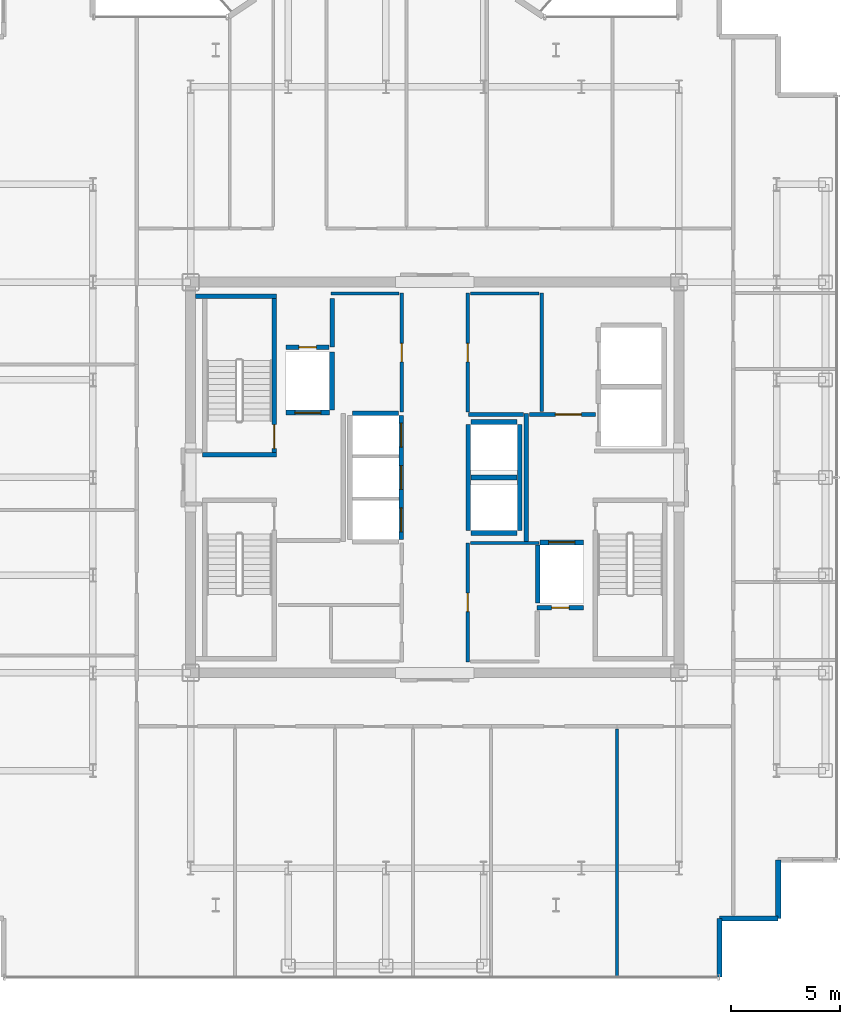
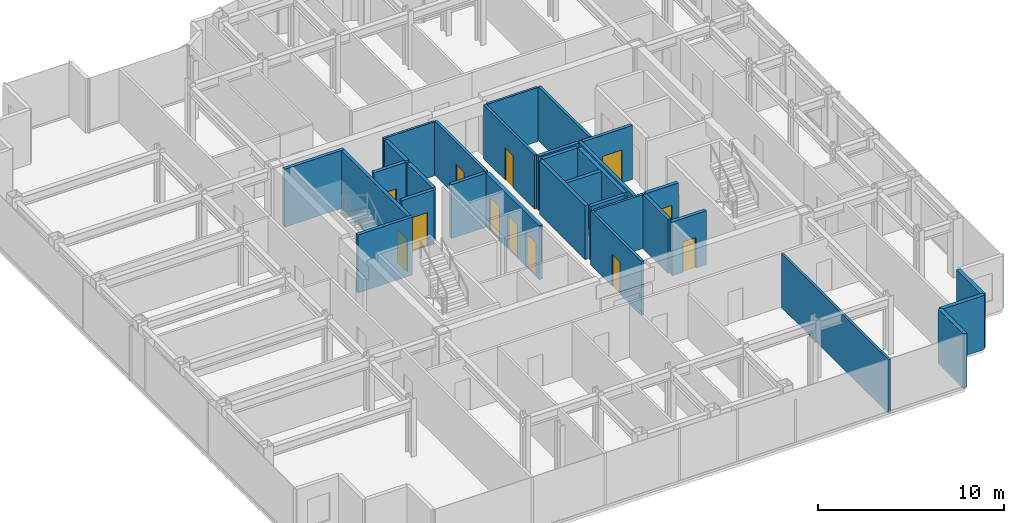
# One storey, part 14 of 18: 31 walls, 12 doors, 12 openings.
"""IFC4 building model written with IfcOpenShell, lengths in metres."""

from ifc_helpers import new_model, si_unit, direction, frame, frame_2d, origin, place, context, subcontext, project, spatial, rectangle, extrude, source, transform, mapped, material, layer, layer_set, type_object, element, fill, save


model = new_model("IFC4")

# Units and contexts
model_context = context("Model", 3, precision=1e-05, world=origin(), true_north=direction((0.0, 1.0)))
body_context = subcontext(model_context, "Body", "Model", "MODEL_VIEW")
ifc_project = project(units=[si_unit("LENGTHUNIT", "METRE"), si_unit("AREAUNIT", "SQUARE_METRE"), si_unit("VOLUMEUNIT", "CUBIC_METRE"), si_unit("PLANEANGLEUNIT", "RADIAN"), si_unit("MASSUNIT", "GRAM", prefix="KILO")], contexts=[model_context])

# Site, building, storey
site_placement = place(None, origin())
site = spatial("IfcSite", under=ifc_project, at=site_placement, CompositionType="ELEMENT")
building_placement = place(site_placement, origin())
building = spatial("IfcBuilding", under=site, at=building_placement, Name="Nefas-Gora Pilgrimage Tower", CompositionType="ELEMENT")
storey_placement = place(building_placement, frame((0.0, 0.0, 272.199951171875)))
storey = spatial("IfcBuildingStorey", under=building, at=storey_placement, Name="L68", CompositionType="ELEMENT", Elevation=272.199951171875)

# Walls
ifc_material_1 = material(Name="Precast concrete C45/55", Category="concrete")
ifc_layer_1 = layer(ifc_material_1, 0.239990234375)
ifc_layer_set_1 = layer_set([ifc_layer_1], Name="Precast concrete C45/55")
wall_type_1 = type_object("IfcWallType", Name="EW-SERR-240", PredefinedType="SHEAR", material=ifc_layer_set_1)
shared_shape_1 = source(origin(), body_context, "Body", "SweptSolid", [
    extrude(rectangle(XDim=2.699951171875, YDim=0.239990234375, at=frame_2d((1.35009765625, 0.0))), origin(), (0.0, 0.0, 1.0), 3.550048828125),
])
for number, where, z_axis, x_axis, name in (
    (1, (13.1201171875, -23.02001953125, 0.0), (0.0, 0.0, 1.0), (0.0, 1.0, 0.0), "L68 Serrated Corner Shear Pier Wall 25"),
    (2, (13.1201171875, -20.320068359375, 0.0), (0.0, 0.0, 1.0), (1.0, 0.0, 0.0), "L68 Serrated Corner Shear Pier Wall 26"),
    (3, (15.820068359375, -20.320068359375, 0.0), (0.0, 0.0, 1.0), (0.0, 1.0, 0.0), "L68 Serrated Corner Shear Pier Wall 27"),
):
    element("IfcWall", number, at=place(storey_placement, frame(where, z_axis=z_axis, x_axis=x_axis)), inside=storey, type_object=wall_type_1, Name=name, PredefinedType="SHEAR", context=body_context, shape_type="MappedRepresentation", body=[
        mapped(shared_shape_1, transform((0.0, 0.0, 0.0), x_axis=(1.0, 0.0, 0.0), y_axis=(0.0, 1.0, 0.0), z_axis=(0.0, 0.0, 1.0), scale=1.0)),
    ])
ifc_material_2 = material(Name="Concrete C45/55", Category="concrete")
ifc_layer_2 = layer(ifc_material_2, 0.199951171875)
ifc_layer_set_2 = layer_set([ifc_layer_2], Name="Concrete C45/55")
wall_type_2 = type_object("IfcWallType", Name="IW-STAIR-200", PredefinedType="SOLIDWALL", material=ifc_layer_set_2)
shared_shape_2 = source(origin(), body_context, "Body", "SweptSolid", [
    extrude(rectangle(XDim=3.39990234375, YDim=0.199951171875, at=frame_2d((1.699951171875, 0.0))), origin(), (0.0, 0.0, 1.0), 3.800048828125),
])
wall_1_placement = place(storey_placement, frame((-7.300048828125, 1.050048828125, 0.0), z_axis=(0.0, 0.0, 1.0), x_axis=(-1.0, 0.0, 0.0)))
element("IfcWall", 4, at=wall_1_placement, inside=storey, type_object=wall_type_2, Name="L68 Stairwell Shear Wall ST-01-near", PredefinedType="SOLIDWALL", context=body_context, shape_type="MappedRepresentation", body=[
    mapped(shared_shape_2, transform((0.0, 0.0, 0.0), x_axis=(1.0, 0.0, 0.0), y_axis=(0.0, 1.0, 0.0), z_axis=(0.0, 0.0, 1.0), scale=1.0)),
])

# Wall, opening, door
shared_shape_3 = source(origin(), body_context, "Body", "SweptSolid", [
    extrude(rectangle(XDim=7.10009765625, YDim=0.199951171875, at=frame_2d((3.550048828125, 0.0))), origin(), (0.0, 0.0, 1.0), 3.800048828125),
])
wall_2_placement = place(storey_placement, frame((-7.39990234375, 1.14990234375, 0.0), z_axis=(0.0, 0.0, 1.0), x_axis=(0.0, 1.0, 0.0)))
wall_2 = element("IfcWall", 5, at=wall_2_placement, inside=storey, type_object=wall_type_2, Name="L68 Stairwell Shear Wall ST-01-left", PredefinedType="SOLIDWALL", context=body_context, shape_type="MappedRepresentation", body=[
    mapped(shared_shape_3, transform((0.0, 0.0, 0.0), x_axis=(1.0, 0.0, 0.0), y_axis=(0.0, 1.0, 0.0), z_axis=(0.0, 0.0, 1.0), scale=1.0)),
])
opening_1_placement = place(wall_2_placement, frame((0.179931640625, 0.0, 0.0)))
opening_1 = element("IfcOpeningElement", 6, at=opening_1_placement, cuts=wall_2, Name="Opening ID-ST1", PredefinedType="OPENING", context=body_context, shape_type="SweptSolid", body=[
    extrude(rectangle(XDim=1.10009765625, YDim=2.14990234375, at=frame_2d((0.550048828125, 1.074951171875))), frame((0.0, 0.10986328125, 0.0), z_axis=(0.0, -1.0, 0.0), x_axis=(1.0, 0.0, 0.0)), (0.0, 0.0, 1.0), 0.219970703125),
])
ifc_material_3 = material(Name="Painted galvanised steel fire stair door", Category="steel")
door_type_1 = type_object("IfcDoorType", Name="DR-INT-STAIR-1100", OperationType="NOTDEFINED", PredefinedType="DOOR", material=ifc_material_3)
shared_shape_4 = source(origin(), body_context, "Body", "SweptSolid", [
    extrude(rectangle(XDim=1.10009765625, YDim=2.14990234375, at=frame_2d((0.550048828125, 1.074951171875))), frame((0.0, 0.02490234375, 0.0), z_axis=(0.0, -1.0, 0.0), x_axis=(1.0, 0.0, 0.0)), (0.0, 0.0, 1.0), 0.050048828125),
])
door_1_placement = place(opening_1_placement, origin())
door_1 = element("IfcDoor", 7, at=door_1_placement, inside=storey, type_object=door_type_1, Name="L68 Protected Exit Stair Door ST-01", OperationType="SINGLE_SWING_RIGHT", OverallHeight=2.14990234375, OverallWidth=1.10009765625, PredefinedType="DOOR", context=body_context, shape_type="MappedRepresentation", body=[
    mapped(shared_shape_4, transform((0.0, 0.0, 0.0), x_axis=(1.0, 0.0, 0.0), y_axis=(0.0, 1.0, 0.0), z_axis=(0.0, 0.0, 1.0), scale=1.0)),
])
fill(opening_1, door_1)

# Wall
shared_shape_5 = source(origin(), body_context, "Body", "SweptSolid", [
    extrude(rectangle(XDim=3.72998046875, YDim=0.199951171875, at=frame_2d((1.864990234375, 0.0))), origin(), (0.0, 0.0, 1.0), 3.800048828125),
])
wall_3_placement = place(storey_placement, frame((-7.300048828125, 8.35009765625, 0.0), z_axis=(0.0, 0.0, 1.0), x_axis=(-1.0, 0.0, 0.0)))
element("IfcWall", 8, at=wall_3_placement, inside=storey, type_object=wall_type_2, Name="L68 Stairwell Shear Wall ST-01-far", PredefinedType="SOLIDWALL", context=body_context, shape_type="MappedRepresentation", body=[
    mapped(shared_shape_5, transform((0.0, 0.0, 0.0), x_axis=(1.0, 0.0, 0.0), y_axis=(0.0, 1.0, 0.0), z_axis=(0.0, 0.0, 1.0), scale=1.0)),
])

# Wall, opening, door
ifc_material_4 = material(Name="Concrete C40/50", Category="concrete")
ifc_layer_3 = layer(ifc_material_4, 0.219970703125)
ifc_layer_set_3 = layer_set([ifc_layer_3], Name="Concrete C40/50")
wall_type_3 = type_object("IfcWallType", Name="IW-SHAFT-220", PredefinedType="SOLIDWALL", material=ifc_layer_set_3)
shared_shape_6 = source(origin(), body_context, "Body", "SweptSolid", [
    extrude(rectangle(XDim=2.0, YDim=0.219970703125, at=frame_2d((1.0, 0.0))), origin(), (0.0, 0.0, 1.0), 3.53515625),
])
wall_4_placement = place(storey_placement, frame((-6.85009765625, 2.989990234375, 0.0), z_axis=(0.0, 0.0, 1.0), x_axis=(1.0, 0.0, 0.0)))
wall_4 = element("IfcWall", 9, at=wall_4_placement, inside=storey, type_object=wall_type_3, Name="L68 Hoistway Wall FFL-01-S", PredefinedType="SOLIDWALL", context=body_context, shape_type="MappedRepresentation", body=[
    mapped(shared_shape_6, transform((0.0, 0.0, 0.0), x_axis=(1.0, 0.0, 0.0), y_axis=(0.0, 1.0, 0.0), z_axis=(0.0, 0.0, 1.0), scale=1.0)),
])
opening_2_placement = place(wall_4_placement, frame((0.39990234375, 0.0, 0.0)))
opening_2 = element("IfcOpeningElement", 10, at=opening_2_placement, cuts=wall_4, Name="Opening LD-FF", PredefinedType="OPENING", context=body_context, shape_type="SweptSolid", body=[
    extrude(rectangle(XDim=1.199951171875, YDim=2.199951171875, at=frame_2d((0.60009765625, 1.10009765625))), frame((0.0, 0.119873046875, 0.0), z_axis=(0.0, -1.0, 0.0), x_axis=(1.0, 0.0, 0.0)), (0.0, 0.0, 1.0), 0.239990234375),
])
ifc_material_5 = material(Name="Fire-service sliding lift landing door")
door_type_2 = type_object("IfcDoorType", Name="DR-LIFT-FSAE-1200", OperationType="SLIDING_TO_LEFT", PredefinedType="DOOR", material=ifc_material_5)
shared_shape_7 = source(origin(), body_context, "Body", "SweptSolid", [
    extrude(rectangle(XDim=1.199951171875, YDim=2.199951171875, at=frame_2d((0.60009765625, 1.10009765625))), frame((0.0, 0.02490234375, 0.0), z_axis=(0.0, -1.0, 0.0), x_axis=(1.0, 0.0, 0.0)), (0.0, 0.0, 1.0), 0.050048828125),
])
door_2_placement = place(opening_2_placement, origin())
door_2 = element("IfcDoor", 11, at=door_2_placement, inside=storey, type_object=door_type_2, Name="L68 Sliding Lift Landing Door FFL-01", OperationType="SLIDING_TO_LEFT", OverallHeight=2.199951171875, OverallWidth=1.199951171875, PredefinedType="DOOR", context=body_context, shape_type="MappedRepresentation", body=[
    mapped(shared_shape_7, transform((0.0, 0.0, 0.0), x_axis=(1.0, 0.0, 0.0), y_axis=(0.0, 1.0, 0.0), z_axis=(0.0, 0.0, 1.0), scale=1.0)),
])
fill(opening_2, door_2)

wall_5_placement = place(storey_placement, frame((6.85009765625, -2.989990234375, 0.0), z_axis=(0.0, 0.0, 1.0), x_axis=(-1.0, 0.0, 0.0)))
wall_5 = element("IfcWall", 12, at=wall_5_placement, inside=storey, type_object=wall_type_3, Name="L68 Hoistway Wall FFL-02-N", PredefinedType="SOLIDWALL", context=body_context, shape_type="MappedRepresentation", body=[
    mapped(shared_shape_6, transform((0.0, 0.0, 0.0), x_axis=(1.0, 0.0, 0.0), y_axis=(0.0, 1.0, 0.0), z_axis=(0.0, 0.0, 1.0), scale=1.0)),
])
opening_3_placement = place(wall_5_placement, frame((0.39990234375, 0.0, 0.0)))
opening_3 = element("IfcOpeningElement", 13, at=opening_3_placement, cuts=wall_5, Name="Opening LD-FF", PredefinedType="OPENING", context=body_context, shape_type="SweptSolid", body=[
    extrude(rectangle(XDim=1.199951171875, YDim=2.199951171875, at=frame_2d((0.60009765625, 1.10009765625))), frame((0.0, 0.119873046875, 0.0), z_axis=(0.0, -1.0, 0.0), x_axis=(1.0, 0.0, 0.0)), (0.0, 0.0, 1.0), 0.239990234375),
])
door_3_placement = place(opening_3_placement, origin())
door_3 = element("IfcDoor", 14, at=door_3_placement, inside=storey, type_object=door_type_2, Name="L68 Sliding Lift Landing Door FFL-02", OperationType="SLIDING_TO_LEFT", OverallHeight=2.199951171875, OverallWidth=1.199951171875, PredefinedType="DOOR", context=body_context, shape_type="MappedRepresentation", body=[
    mapped(shared_shape_7, transform((0.0, 0.0, 0.0), x_axis=(1.0, 0.0, 0.0), y_axis=(0.0, 1.0, 0.0), z_axis=(0.0, 0.0, 1.0), scale=1.0)),
])
fill(opening_3, door_3)

# Walls
shared_shape_8 = source(origin(), body_context, "Body", "SweptSolid", [
    extrude(rectangle(XDim=2.679931640625, YDim=0.219970703125, at=frame_2d((1.33984375, 0.0))), origin(), (0.0, 0.0, 1.0), 3.53515625),
])
for number, where, z_axis, x_axis, name in (
    (15, (-4.739990234375, 3.110107421875, 0.0), (0.0, 0.0, 1.0), (0.0, 1.0, 0.0), "L68 Hoistway Wall FFL-01-E"),
    (16, (4.739990234375, -3.110107421875, 0.0), (0.0, 0.0, 1.0), (0.0, -1.0, 0.0), "L68 Hoistway Wall FFL-02-W"),
):
    element("IfcWall", number, at=place(storey_placement, frame(where, z_axis=z_axis, x_axis=x_axis)), inside=storey, type_object=wall_type_3, Name=name, PredefinedType="SOLIDWALL", context=body_context, shape_type="MappedRepresentation", body=[
        mapped(shared_shape_8, transform((0.0, 0.0, 0.0), x_axis=(1.0, 0.0, 0.0), y_axis=(0.0, 1.0, 0.0), z_axis=(0.0, 0.0, 1.0), scale=1.0)),
    ])

# Wall, openings, doors
shared_shape_9 = source(origin(), body_context, "Body", "SweptSolid", [
    extrude(rectangle(XDim=5.7001953125, YDim=0.219970703125, at=frame_2d((2.85009765625, 0.0))), origin(), (0.0, 0.0, 1.0), 3.53515625),
])
wall_6_placement = place(storey_placement, frame((-1.5400390625, -2.85009765625, 0.0), z_axis=(0.0, 0.0, 1.0), x_axis=(0.0, 1.0, 0.0)))
wall_6 = element("IfcWall", 17, at=wall_6_placement, inside=storey, type_object=wall_type_3, Name="L68 Hoistway Wall PL3-01-03-E", PredefinedType="SOLIDWALL", context=body_context, shape_type="MappedRepresentation", body=[
    mapped(shared_shape_9, transform((0.0, 0.0, 0.0), x_axis=(1.0, 0.0, 0.0), y_axis=(0.0, 1.0, 0.0), z_axis=(0.0, 0.0, 1.0), scale=1.0)),
])
opening_4_placement = place(wall_6_placement, frame((0.35009765625, 0.0, 0.0)))
opening_4 = element("IfcOpeningElement", 18, at=opening_4_placement, cuts=wall_6, Name="Opening LD-01", PredefinedType="OPENING", context=body_context, shape_type="SweptSolid", body=[
    extrude(rectangle(XDim=1.10009765625, YDim=2.199951171875, at=frame_2d((0.550048828125, 1.10009765625))), frame((0.0, 0.119873046875, 0.0), z_axis=(0.0, -1.0, 0.0), x_axis=(1.0, 0.0, 0.0)), (0.0, 0.0, 1.0), 0.239990234375),
])
opening_5_placement = place(wall_6_placement, frame((2.300048828125, 0.0, 0.0)))
opening_5 = element("IfcOpeningElement", 19, at=opening_5_placement, cuts=wall_6, Name="Opening LD-01", PredefinedType="OPENING", context=body_context, shape_type="SweptSolid", body=[
    extrude(rectangle(XDim=1.10009765625, YDim=2.199951171875, at=frame_2d((0.550048828125, 1.10009765625))), frame((0.0, 0.119873046875, 0.0), z_axis=(0.0, -1.0, 0.0), x_axis=(1.0, 0.0, 0.0)), (0.0, 0.0, 1.0), 0.239990234375),
])
opening_6_placement = place(wall_6_placement, frame((4.25, 0.0, 0.0)))
opening_6 = element("IfcOpeningElement", 20, at=opening_6_placement, cuts=wall_6, Name="Opening LD-01", PredefinedType="OPENING", context=body_context, shape_type="SweptSolid", body=[
    extrude(rectangle(XDim=1.10009765625, YDim=2.199951171875, at=frame_2d((0.550048828125, 1.10009765625))), frame((0.0, 0.119873046875, 0.0), z_axis=(0.0, -1.0, 0.0), x_axis=(1.0, 0.0, 0.0)), (0.0, 0.0, 1.0), 0.239990234375),
])
ifc_material_6 = material(Name="Brushed stainless sliding lift landing door")
door_type_3 = type_object("IfcDoorType", Name="DR-LIFT-PASS-1100", OperationType="DOUBLE_DOOR_SLIDING", PredefinedType="DOOR", material=ifc_material_6)
shared_shape_10 = source(origin(), body_context, "Body", "SweptSolid", [
    extrude(rectangle(XDim=1.10009765625, YDim=2.199951171875, at=frame_2d((0.550048828125, 1.10009765625))), frame((0.0, 0.02490234375, 0.0), z_axis=(0.0, -1.0, 0.0), x_axis=(1.0, 0.0, 0.0)), (0.0, 0.0, 1.0), 0.050048828125),
])
door_4_placement = place(opening_4_placement, origin())
door_4 = element("IfcDoor", 21, at=door_4_placement, inside=storey, type_object=door_type_3, Name="L68 Sliding Lift Landing Door PL3-01", OperationType="DOUBLE_DOOR_SLIDING", OverallHeight=2.199951171875, OverallWidth=1.10009765625, PredefinedType="DOOR", context=body_context, shape_type="MappedRepresentation", body=[
    mapped(shared_shape_10, transform((0.0, 0.0, 0.0), x_axis=(1.0, 0.0, 0.0), y_axis=(0.0, 1.0, 0.0), z_axis=(0.0, 0.0, 1.0), scale=1.0)),
])
fill(opening_4, door_4)
door_5_placement = place(opening_5_placement, origin())
door_5 = element("IfcDoor", 22, at=door_5_placement, inside=storey, type_object=door_type_3, Name="L68 Sliding Lift Landing Door PL3-02", OperationType="DOUBLE_DOOR_SLIDING", OverallHeight=2.199951171875, OverallWidth=1.10009765625, PredefinedType="DOOR", context=body_context, shape_type="MappedRepresentation", body=[
    mapped(shared_shape_10, transform((0.0, 0.0, 0.0), x_axis=(1.0, 0.0, 0.0), y_axis=(0.0, 1.0, 0.0), z_axis=(0.0, 0.0, 1.0), scale=1.0)),
])
fill(opening_5, door_5)
door_6_placement = place(opening_6_placement, origin())
door_6 = element("IfcDoor", 23, at=door_6_placement, inside=storey, type_object=door_type_3, Name="L68 Sliding Lift Landing Door PL3-03", OperationType="DOUBLE_DOOR_SLIDING", OverallHeight=2.199951171875, OverallWidth=1.10009765625, PredefinedType="DOOR", context=body_context, shape_type="MappedRepresentation", body=[
    mapped(shared_shape_10, transform((0.0, 0.0, 0.0), x_axis=(1.0, 0.0, 0.0), y_axis=(0.0, 1.0, 0.0), z_axis=(0.0, 0.0, 1.0), scale=1.0)),
])
fill(opening_6, door_6)

# Walls
shared_shape_11 = source(origin(), body_context, "Body", "SweptSolid", [
    extrude(rectangle(XDim=2.130126953125, YDim=0.219970703125, at=frame_2d((1.06494140625, 0.0))), origin(), (0.0, 0.0, 1.0), 3.53515625),
])
for number, where, z_axis, x_axis, name in (
    (24, (-1.659912109375, 2.9599609375, 0.0), (0.0, 0.0, 1.0), (-1.0, 0.0, 0.0), "L68 Hoistway Wall PL3-03-N"),
    (25, (1.659912109375, -2.56005859375, 0.0), (0.0, 0.0, 1.0), (1.0, 0.0, 0.0), "L68 Hoistway Wall OBS-01-S"),
    (26, (1.659912109375, 0.0, 0.0), (0.0, 0.0, 1.0), (1.0, 0.0, 0.0), "L68 Hoistway Wall OBS-01-02-DIV"),
    (27, (3.7900390625, 2.56005859375, 0.0), (0.0, 0.0, 1.0), (-1.0, 0.0, 0.0), "L68 Hoistway Wall OBS-02-N"),
):
    element("IfcWall", number, at=place(storey_placement, frame(where, z_axis=z_axis, x_axis=x_axis)), inside=storey, type_object=wall_type_3, Name=name, PredefinedType="SOLIDWALL", context=body_context, shape_type="MappedRepresentation", body=[
        mapped(shared_shape_11, transform((0.0, 0.0, 0.0), x_axis=(1.0, 0.0, 0.0), y_axis=(0.0, 1.0, 0.0), z_axis=(0.0, 0.0, 1.0), scale=1.0)),
    ])

# Wall, opening, door
wall_7_placement = place(storey_placement, frame((4.719970703125, -6.0, 0.0), z_axis=(0.0, 0.0, 1.0), x_axis=(1.0, 0.0, 0.0)))
wall_7 = element("IfcWall", 28, at=wall_7_placement, inside=storey, type_object=wall_type_3, Name="L68 Riser Shaft Wall 3", PredefinedType="SOLIDWALL", context=body_context, shape_type="MappedRepresentation", body=[
    mapped(shared_shape_11, transform((0.0, 0.0, 0.0), x_axis=(1.0, 0.0, 0.0), y_axis=(0.0, 1.0, 0.0), z_axis=(0.0, 0.0, 1.0), scale=1.0)),
])
opening_7_placement = place(wall_7_placement, frame((0.6650390625, 0.0, 0.0)))
opening_7 = element("IfcOpeningElement", 29, at=opening_7_placement, cuts=wall_7, Name="Opening ID-TR1", PredefinedType="OPENING", context=body_context, shape_type="SweptSolid", body=[
    extrude(rectangle(XDim=0.800048828125, YDim=2.0, at=frame_2d((0.39990234375, 1.0))), frame((0.0, 0.119873046875, 0.0), z_axis=(0.0, -1.0, 0.0), x_axis=(1.0, 0.0, 0.0)), (0.0, 0.0, 1.0), 0.239990234375),
])
ifc_material_7 = material(Name="Riser maintenance fire access door")
door_type_4 = type_object("IfcDoorType", Name="DR-INT-TRAP-800", OperationType="NOTDEFINED", PredefinedType="TRAPDOOR", material=ifc_material_7)
shared_shape_12 = source(origin(), body_context, "Body", "SweptSolid", [
    extrude(rectangle(XDim=0.800048828125, YDim=2.0, at=frame_2d((0.39990234375, 1.0))), frame((0.0, 0.02490234375, 0.0), z_axis=(0.0, -1.0, 0.0), x_axis=(1.0, 0.0, 0.0)), (0.0, 0.0, 1.0), 0.050048828125),
])
door_7_placement = place(opening_7_placement, origin())
door_7 = element("IfcDoor", 30, at=door_7_placement, inside=storey, type_object=door_type_4, Name="L68 Riser Shaft Door 2", OperationType="SINGLE_SWING_LEFT", OverallHeight=2.0, OverallWidth=0.800048828125, PredefinedType="TRAPDOOR", context=body_context, shape_type="MappedRepresentation", body=[
    mapped(shared_shape_12, transform((0.0, 0.0, 0.0), x_axis=(1.0, 0.0, 0.0), y_axis=(0.0, 1.0, 0.0), z_axis=(0.0, 0.0, 1.0), scale=1.0)),
])
fill(opening_7, door_7)

# Walls
shared_shape_13 = source(origin(), body_context, "Body", "SweptSolid", [
    extrude(rectangle(XDim=4.89990234375, YDim=0.219970703125, at=frame_2d((2.449951171875, 0.0))), origin(), (0.0, 0.0, 1.0), 3.53515625),
])
for number, where, z_axis, x_axis, name in (
    (31, (1.5400390625, 2.449951171875, 0.0), (0.0, 0.0, 1.0), (0.0, -1.0, 0.0), "L68 Hoistway Wall OBS-01-02-W"),
    (32, (3.909912109375, -2.449951171875, 0.0), (0.0, 0.0, 1.0), (0.0, 1.0, 0.0), "L68 Hoistway Wall OBS-01-02-E"),
):
    element("IfcWall", number, at=place(storey_placement, frame(where, z_axis=z_axis, x_axis=x_axis)), inside=storey, type_object=wall_type_3, Name=name, PredefinedType="SOLIDWALL", context=body_context, shape_type="MappedRepresentation", body=[
        mapped(shared_shape_13, transform((0.0, 0.0, 0.0), x_axis=(1.0, 0.0, 0.0), y_axis=(0.0, 1.0, 0.0), z_axis=(0.0, 0.0, 1.0), scale=1.0)),
    ])
ifc_material_8 = material(Name="Gypsum fire-rated shaftwall")
ifc_layer_4 = layer(ifc_material_8, 0.199951171875)
ifc_layer_set_4 = layer_set([ifc_layer_4], Name="Gypsum fire-rated shaftwall")
wall_type_4 = type_object("IfcWallType", Name="IW-FFLOB-200", PredefinedType="PARTITIONING", material=ifc_layer_set_4)
shared_shape_14 = source(origin(), body_context, "Body", "SweptSolid", [
    extrude(rectangle(XDim=5.89990234375, YDim=0.199951171875, at=frame_2d((2.949951171875, 0.0))), origin(), (0.0, 0.0, 1.0), 3.53515625),
])
wall_8_placement = place(storey_placement, frame((4.219970703125, -2.949951171875, 0.0), z_axis=(0.0, 0.0, 1.0), x_axis=(0.0, 1.0, 0.0)))
element("IfcWall", 33, at=wall_8_placement, inside=storey, type_object=wall_type_4, Name="L68 FF Lobby East Inner Wall Wall 11", PredefinedType="PARTITIONING", context=body_context, shape_type="MappedRepresentation", body=[
    mapped(shared_shape_14, transform((0.0, 0.0, 0.0), x_axis=(1.0, 0.0, 0.0), y_axis=(0.0, 1.0, 0.0), z_axis=(0.0, 0.0, 1.0), scale=1.0)),
])

# Wall, opening, door
shared_shape_15 = source(origin(), body_context, "Body", "SweptSolid", [
    extrude(rectangle(XDim=3.039794921875, YDim=0.199951171875, at=frame_2d((1.52001953125, 0.0))), origin(), (0.0, 0.0, 1.0), 3.53515625),
])
wall_9_placement = place(storey_placement, frame((4.360107421875, 2.89990234375, 0.0), z_axis=(0.0, 0.0, 1.0), x_axis=(1.0, 0.0, 0.0)))
wall_9 = element("IfcWall", 34, at=wall_9_placement, inside=storey, type_object=wall_type_4, Name="L68 FF Lobby East North Wall Wall 13", PredefinedType="PARTITIONING", context=body_context, shape_type="MappedRepresentation", body=[
    mapped(shared_shape_15, transform((0.0, 0.0, 0.0), x_axis=(1.0, 0.0, 0.0), y_axis=(0.0, 1.0, 0.0), z_axis=(0.0, 0.0, 1.0), scale=1.0)),
])
opening_8_placement = place(wall_9_placement, frame((1.18994140625, 0.0, 0.0)))
opening_8 = element("IfcOpeningElement", 35, at=opening_8_placement, cuts=wall_9, Name="Opening ID-PL1", PredefinedType="OPENING", context=body_context, shape_type="SweptSolid", body=[
    extrude(rectangle(XDim=1.199951171875, YDim=2.14990234375, at=frame_2d((0.60009765625, 1.074951171875))), frame((0.0, 0.10986328125, 0.0), z_axis=(0.0, -1.0, 0.0), x_axis=(1.0, 0.0, 0.0)), (0.0, 0.0, 1.0), 0.219970703125),
])
ifc_material_9 = material(Name="Heavy-duty steel plant room fire door", Category="steel")
door_type_5 = type_object("IfcDoorType", Name="DR-INT-PLANT-1200", OperationType="NOTDEFINED", PredefinedType="DOOR", material=ifc_material_9)
shared_shape_16 = source(origin(), body_context, "Body", "SweptSolid", [
    extrude(rectangle(XDim=1.199951171875, YDim=2.14990234375, at=frame_2d((0.60009765625, 1.074951171875))), frame((0.0, 0.02490234375, 0.0), z_axis=(0.0, -1.0, 0.0), x_axis=(1.0, 0.0, 0.0)), (0.0, 0.0, 1.0), 0.050048828125),
])
door_8_placement = place(opening_8_placement, origin())
door_8 = element("IfcDoor", 36, at=door_8_placement, inside=storey, type_object=door_type_5, Name="L68 Service Lift Lobby Door Door 5", OperationType="SINGLE_SWING_RIGHT", OverallHeight=2.14990234375, OverallWidth=1.199951171875, PredefinedType="DOOR", context=body_context, shape_type="MappedRepresentation", body=[
    mapped(shared_shape_16, transform((0.0, 0.0, 0.0), x_axis=(1.0, 0.0, 0.0), y_axis=(0.0, 1.0, 0.0), z_axis=(0.0, 0.0, 1.0), scale=1.0)),
])
fill(opening_8, door_8)

# Walls
ifc_material_10 = material(Name="Gypsum twin-stud partition")
ifc_layer_5 = layer(ifc_material_10, 0.139892578125)
ifc_layer_set_5 = layer_set([ifc_layer_5], Name="Gypsum twin-stud partition")
wall_type_5 = type_object("IfcWallType", Name="IW-UNIT-140", PredefinedType="PARTITIONING", material=ifc_layer_set_5)
shared_shape_17 = source(origin(), body_context, "Body", "SweptSolid", [
    extrude(rectangle(XDim=3.150146484375, YDim=0.139892578125, at=frame_2d((1.5751953125, 0.0))), origin(), (0.0, 0.0, 1.0), 3.53515625),
])
for number, where, z_axis, x_axis, name in (
    (37, (-4.7900390625, 8.47998046875, 0.0), (0.0, 0.0, 1.0), (1.0, 0.0, 0.0), "L68 Housekeeping and Linen Store Partition Wall 20"),
    (38, (1.639892578125, 8.47998046875, 0.0), (0.0, 0.0, 1.0), (1.0, 0.0, 0.0), "L68 Freed Bank-1 Amenity Supply Store Partition Wall 24"),
    (39, (1.639892578125, -3.02001953125, 0.0), (0.0, 0.0, 1.0), (1.0, 0.0, 0.0), "L68 Freed Bank-2 East Linen Store Partition Wall 28"),
):
    element("IfcWall", number, at=place(storey_placement, frame(where, z_axis=z_axis, x_axis=x_axis)), inside=storey, type_object=wall_type_5, Name=name, PredefinedType="PARTITIONING", context=body_context, shape_type="MappedRepresentation", body=[
        mapped(shared_shape_17, transform((0.0, 0.0, 0.0), x_axis=(1.0, 0.0, 0.0), y_axis=(0.0, 1.0, 0.0), z_axis=(0.0, 0.0, 1.0), scale=1.0)),
    ])
shared_shape_18 = source(origin(), body_context, "Body", "SweptSolid", [
    extrude(rectangle(XDim=2.25, YDim=0.219970703125, at=frame_2d((1.125, 0.0))), origin(), (0.0, 0.0, 1.0), 3.53515625),
])
wall_10_placement = place(storey_placement, frame((-4.719970703125, 6.0, 0.0), z_axis=(0.0, 0.0, 1.0), x_axis=(0.0, 1.0, 0.0)))
element("IfcWall", 40, at=wall_10_placement, inside=storey, type_object=wall_type_3, Name="L68 Riser Shaft Wall 1", PredefinedType="SOLIDWALL", context=body_context, shape_type="MappedRepresentation", body=[
    mapped(shared_shape_18, transform((0.0, 0.0, 0.0), x_axis=(1.0, 0.0, 0.0), y_axis=(0.0, 1.0, 0.0), z_axis=(0.0, 0.0, 1.0), scale=1.0)),
])

# Wall, opening, door
shared_shape_19 = source(origin(), body_context, "Body", "SweptSolid", [
    extrude(rectangle(XDim=1.97998046875, YDim=0.219970703125, at=frame_2d((0.989990234375, 0.0))), origin(), (0.0, 0.0, 1.0), 3.53515625),
])
wall_11_placement = place(storey_placement, frame((-6.85009765625, 6.0, 0.0), z_axis=(0.0, 0.0, 1.0), x_axis=(1.0, 0.0, 0.0)))
wall_11 = element("IfcWall", 41, at=wall_11_placement, inside=storey, type_object=wall_type_3, Name="L68 Riser Shaft Wall 2", PredefinedType="SOLIDWALL", context=body_context, shape_type="MappedRepresentation", body=[
    mapped(shared_shape_19, transform((0.0, 0.0, 0.0), x_axis=(1.0, 0.0, 0.0), y_axis=(0.0, 1.0, 0.0), z_axis=(0.0, 0.0, 1.0), scale=1.0)),
])
opening_9_placement = place(wall_11_placement, frame((0.590087890625, 0.0, 0.0)))
opening_9 = element("IfcOpeningElement", 42, at=opening_9_placement, cuts=wall_11, Name="Opening ID-TR1", PredefinedType="OPENING", context=body_context, shape_type="SweptSolid", body=[
    extrude(rectangle(XDim=0.800048828125, YDim=2.0, at=frame_2d((0.39990234375, 1.0))), frame((0.0, 0.119873046875, 0.0), z_axis=(0.0, -1.0, 0.0), x_axis=(1.0, 0.0, 0.0)), (0.0, 0.0, 1.0), 0.239990234375),
])
door_9_placement = place(opening_9_placement, origin())
door_9 = element("IfcDoor", 43, at=door_9_placement, inside=storey, type_object=door_type_4, Name="L68 Riser Shaft Door 1", OperationType="SINGLE_SWING_RIGHT", OverallHeight=2.0, OverallWidth=0.800048828125, PredefinedType="TRAPDOOR", context=body_context, shape_type="MappedRepresentation", body=[
    mapped(shared_shape_12, transform((0.0, 0.0, 0.0), x_axis=(1.0, 0.0, 0.0), y_axis=(0.0, 1.0, 0.0), z_axis=(0.0, 0.0, 1.0), scale=1.0)),
])
fill(opening_9, door_9)

# Walls
shared_shape_20 = source(origin(), body_context, "Body", "SweptSolid", [
    extrude(rectangle(XDim=2.52001953125, YDim=0.199951171875, at=frame_2d((1.260009765625, 0.0))), origin(), (0.0, 0.0, 1.0), 3.53515625),
])
wall_12_placement = place(storey_placement, frame((1.56005859375, 2.89990234375, 0.0), z_axis=(0.0, 0.0, 1.0), x_axis=(1.0, 0.0, 0.0)))
element("IfcWall", 44, at=wall_12_placement, inside=storey, type_object=wall_type_4, Name="L68 FF Lobby East North Wall Wall 12", PredefinedType="PARTITIONING", context=body_context, shape_type="MappedRepresentation", body=[
    mapped(shared_shape_20, transform((0.0, 0.0, 0.0), x_axis=(1.0, 0.0, 0.0), y_axis=(0.0, 1.0, 0.0), z_axis=(0.0, 0.0, 1.0), scale=1.0)),
])
ifc_material_11 = material(Name="Gypsum acoustic stud partition")
ifc_layer_6 = layer(ifc_material_11, 0.159912109375)
ifc_layer_set_6 = layer_set([ifc_layer_6], Name="Gypsum acoustic stud partition")
wall_type_6 = type_object("IfcWallType", Name="IW-CORR-160", PredefinedType="PARTITIONING", material=ifc_layer_set_6)
shared_shape_21 = source(origin(), body_context, "Body", "SweptSolid", [
    extrude(rectangle(XDim=5.449951171875, YDim=0.159912109375, at=frame_2d((2.72509765625, 0.0))), origin(), (0.0, 0.0, 1.0), 3.53515625),
])
wall_13_placement = place(storey_placement, frame((4.919921875, 3.0400390625, 0.0), z_axis=(0.0, 0.0, 1.0), x_axis=(0.0, 1.0, 0.0)))
element("IfcWall", 45, at=wall_13_placement, inside=storey, type_object=wall_type_6, Name="L68 Service Lift Lobby West Wall Wall 18", PredefinedType="PARTITIONING", context=body_context, shape_type="MappedRepresentation", body=[
    mapped(shared_shape_21, transform((0.0, 0.0, 0.0), x_axis=(1.0, 0.0, 0.0), y_axis=(0.0, 1.0, 0.0), z_axis=(0.0, 0.0, 1.0), scale=1.0)),
])

# Wall, opening, door
shared_shape_22 = source(origin(), body_context, "Body", "SweptSolid", [
    extrude(rectangle(XDim=5.47998046875, YDim=0.159912109375, at=frame_2d((2.739990234375, 0.0))), origin(), (0.0, 0.0, 1.0), 3.53515625),
])
wall_14_placement = place(storey_placement, frame((-1.52001953125, 3.010009765625, 0.0), z_axis=(0.0, 0.0, 1.0), x_axis=(0.0, 1.0, 0.0)))
wall_14 = element("IfcWall", 46, at=wall_14_placement, inside=storey, type_object=wall_type_6, Name="L68 Housekeeping and Linen Store Wall 19", PredefinedType="PARTITIONING", context=body_context, shape_type="MappedRepresentation", body=[
    mapped(shared_shape_22, transform((0.0, 0.0, 0.0), x_axis=(1.0, 0.0, 0.0), y_axis=(0.0, 1.0, 0.0), z_axis=(0.0, 0.0, 1.0), scale=1.0)),
])
opening_10_placement = place(wall_14_placement, frame((2.31494140625, 0.0, 0.0)))
opening_10 = element("IfcOpeningElement", 47, at=opening_10_placement, cuts=wall_14, Name="Opening ID-BT1", PredefinedType="OPENING", context=body_context, shape_type="SweptSolid", body=[
    extrude(rectangle(XDim=0.85009765625, YDim=2.10009765625, at=frame_2d((0.425048828125, 1.050048828125))), frame((0.0, 0.08984375, 0.0), z_axis=(0.0, -1.0, 0.0), x_axis=(1.0, 0.0, 0.0)), (0.0, 0.0, 1.0), 0.179931640625),
])
ifc_material_12 = material(Name="Moisture-resistant fire-rated timber door", Category="wood")
door_type_6 = type_object("IfcDoorType", Name="DR-INT-BATH-850", OperationType="NOTDEFINED", PredefinedType="DOOR", material=ifc_material_12)
shared_shape_23 = source(origin(), body_context, "Body", "SweptSolid", [
    extrude(rectangle(XDim=0.85009765625, YDim=2.10009765625, at=frame_2d((0.425048828125, 1.050048828125))), frame((0.0, 0.02490234375, 0.0), z_axis=(0.0, -1.0, 0.0), x_axis=(1.0, 0.0, 0.0)), (0.0, 0.0, 1.0), 0.050048828125),
])
door_10_placement = place(opening_10_placement, origin())
door_10 = element("IfcDoor", 48, at=door_10_placement, inside=storey, type_object=door_type_6, Name="L68 Housekeeping and Linen Store Door 8", OperationType="SINGLE_SWING_LEFT", OverallHeight=2.10009765625, OverallWidth=0.85009765625, PredefinedType="DOOR", context=body_context, shape_type="MappedRepresentation", body=[
    mapped(shared_shape_23, transform((0.0, 0.0, 0.0), x_axis=(1.0, 0.0, 0.0), y_axis=(0.0, 1.0, 0.0), z_axis=(0.0, 0.0, 1.0), scale=1.0)),
])
fill(opening_10, door_10)

wall_15_placement = place(storey_placement, frame((1.52001953125, 3.010009765625, 0.0), z_axis=(0.0, 0.0, 1.0), x_axis=(0.0, 1.0, 0.0)))
wall_15 = element("IfcWall", 49, at=wall_15_placement, inside=storey, type_object=wall_type_6, Name="L68 Freed Bank-1 Amenity Supply Store Wall 23", PredefinedType="PARTITIONING", context=body_context, shape_type="MappedRepresentation", body=[
    mapped(shared_shape_22, transform((0.0, 0.0, 0.0), x_axis=(1.0, 0.0, 0.0), y_axis=(0.0, 1.0, 0.0), z_axis=(0.0, 0.0, 1.0), scale=1.0)),
])
opening_11_placement = place(wall_15_placement, frame((2.31494140625, 0.0, 0.0)))
opening_11 = element("IfcOpeningElement", 50, at=opening_11_placement, cuts=wall_15, Name="Opening ID-BT1", PredefinedType="OPENING", context=body_context, shape_type="SweptSolid", body=[
    extrude(rectangle(XDim=0.85009765625, YDim=2.10009765625, at=frame_2d((0.425048828125, 1.050048828125))), frame((0.0, 0.08984375, 0.0), z_axis=(0.0, -1.0, 0.0), x_axis=(1.0, 0.0, 0.0)), (0.0, 0.0, 1.0), 0.179931640625),
])
door_11_placement = place(opening_11_placement, origin())
door_11 = element("IfcDoor", 51, at=door_11_placement, inside=storey, type_object=door_type_6, Name="L68 Freed Bank-1 Amenity Supply Store Door 11", OperationType="SINGLE_SWING_RIGHT", OverallHeight=2.10009765625, OverallWidth=0.85009765625, PredefinedType="DOOR", context=body_context, shape_type="MappedRepresentation", body=[
    mapped(shared_shape_23, transform((0.0, 0.0, 0.0), x_axis=(1.0, 0.0, 0.0), y_axis=(0.0, 1.0, 0.0), z_axis=(0.0, 0.0, 1.0), scale=1.0)),
])
fill(opening_11, door_11)

wall_16_placement = place(storey_placement, frame((1.52001953125, -8.489990234375, 0.0), z_axis=(0.0, 0.0, 1.0), x_axis=(0.0, 1.0, 0.0)))
wall_16 = element("IfcWall", 52, at=wall_16_placement, inside=storey, type_object=wall_type_6, Name="L68 Freed Bank-2 East Linen Store Wall 27", PredefinedType="PARTITIONING", context=body_context, shape_type="MappedRepresentation", body=[
    mapped(shared_shape_22, transform((0.0, 0.0, 0.0), x_axis=(1.0, 0.0, 0.0), y_axis=(0.0, 1.0, 0.0), z_axis=(0.0, 0.0, 1.0), scale=1.0)),
])
opening_12_placement = place(wall_16_placement, frame((2.31494140625, 0.0, 0.0)))
opening_12 = element("IfcOpeningElement", 53, at=opening_12_placement, cuts=wall_16, Name="Opening ID-BT1", PredefinedType="OPENING", context=body_context, shape_type="SweptSolid", body=[
    extrude(rectangle(XDim=0.85009765625, YDim=2.10009765625, at=frame_2d((0.425048828125, 1.050048828125))), frame((0.0, 0.08984375, 0.0), z_axis=(0.0, -1.0, 0.0), x_axis=(1.0, 0.0, 0.0)), (0.0, 0.0, 1.0), 0.179931640625),
])
door_12_placement = place(opening_12_placement, origin())
door_12 = element("IfcDoor", 54, at=door_12_placement, inside=storey, type_object=door_type_6, Name="L68 Freed Bank-2 East Linen Store Door 12", OperationType="SINGLE_SWING_LEFT", OverallHeight=2.10009765625, OverallWidth=0.85009765625, PredefinedType="DOOR", context=body_context, shape_type="MappedRepresentation", body=[
    mapped(shared_shape_23, transform((0.0, 0.0, 0.0), x_axis=(1.0, 0.0, 0.0), y_axis=(0.0, 1.0, 0.0), z_axis=(0.0, 0.0, 1.0), scale=1.0)),
])
fill(opening_12, door_12)

# Wall
shared_shape_24 = source(origin(), body_context, "Body", "SweptSolid", [
    extrude(rectangle(XDim=11.449951171875, YDim=0.139892578125, at=frame_2d((5.72509765625, 0.0))), origin(), (0.0, 0.0, 1.0), 3.53515625),
])
wall_17_placement = place(storey_placement, frame((8.39501953125, -23.0400390625, 0.0), z_axis=(0.0, 0.0, 1.0), x_axis=(0.0, 1.0, 0.0)))
element("IfcWall", 55, at=wall_17_placement, inside=storey, type_object=wall_type_5, Name="L68 Pilgrim Contemplative Lounge Partition Wall 67", PredefinedType="PARTITIONING", context=body_context, shape_type="MappedRepresentation", body=[
    mapped(shared_shape_24, transform((0.0, 0.0, 0.0), x_axis=(1.0, 0.0, 0.0), y_axis=(0.0, 1.0, 0.0), z_axis=(0.0, 0.0, 1.0), scale=1.0)),
])

save(model, "model.ifc")
